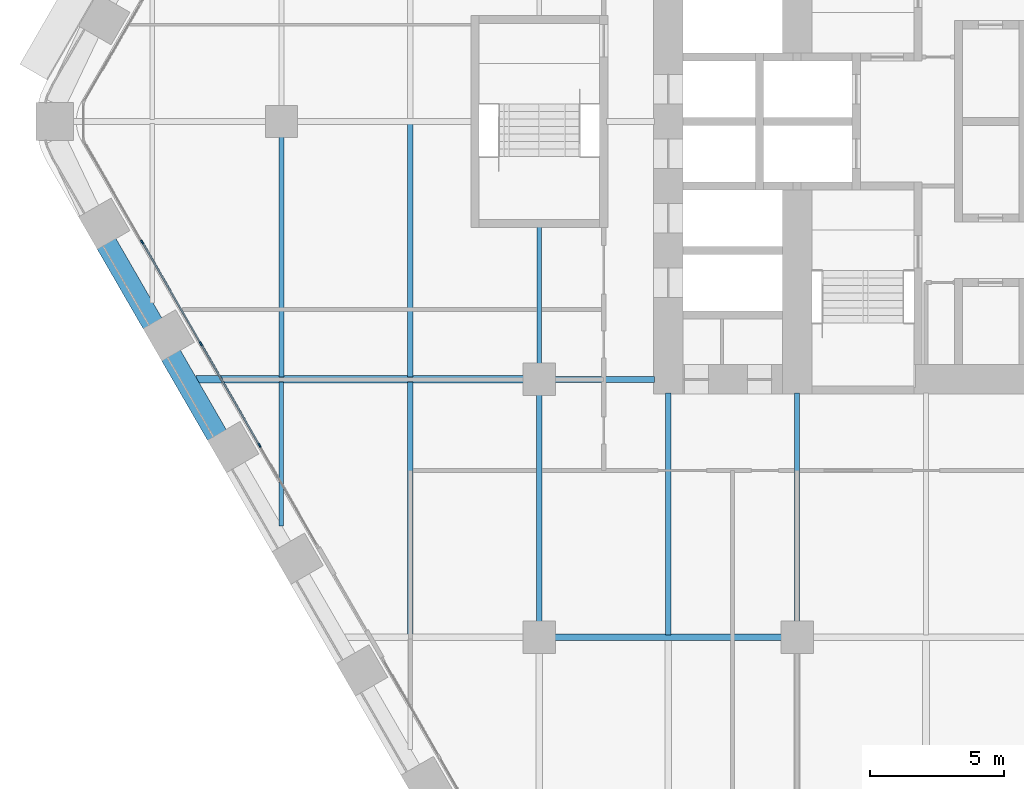
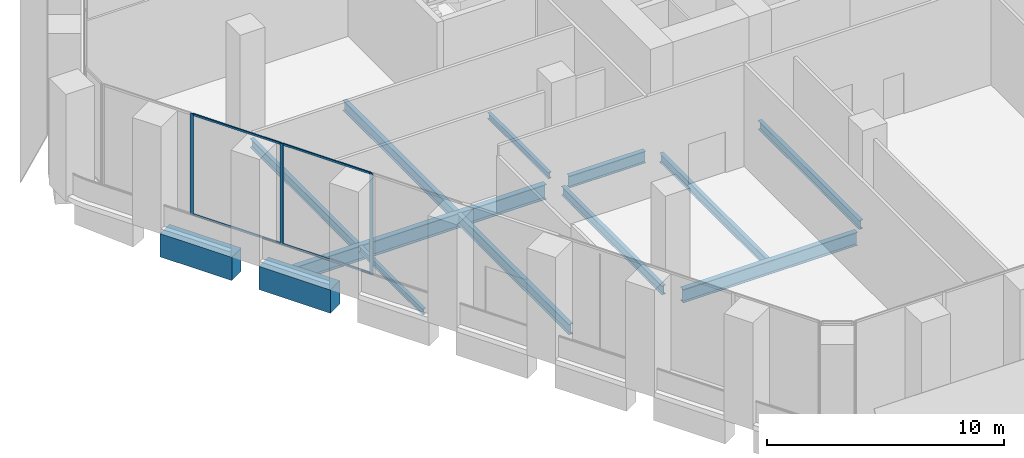
# One storey, part 3 of 29: 13 beams, 7 members, 1 element without a shape of its own.
"""IFC4 building model written with IfcOpenShell, lengths in metres."""

from ifc_helpers import new_model, si_unit, direction, frame, origin, origin_2d, place, context, subcontext, project, spatial, rectangle, i_section, extrude, material, material_profile, profile_set, type_object, element, aggregate, save


model = new_model("IFC4")

# Units and contexts
model_context = context("Model", 3, precision=1e-05, world=origin(), true_north=direction((0.0, 1.0)))
body_context = subcontext(model_context, "Body", "Model", "MODEL_VIEW")
ifc_project = project(units=[si_unit("LENGTHUNIT", "METRE"), si_unit("AREAUNIT", "SQUARE_METRE"), si_unit("VOLUMEUNIT", "CUBIC_METRE"), si_unit("PLANEANGLEUNIT", "RADIAN"), si_unit("MASSUNIT", "GRAM", prefix="KILO")], contexts=[model_context])

# Site, building, storey
site_placement = place(None, origin())
site = spatial("IfcSite", under=ifc_project, at=site_placement, CompositionType="ELEMENT")
building_placement = place(site_placement, origin())
building = spatial("IfcBuilding", under=site, at=building_placement, Name="Kolab Exchange Tower", CompositionType="ELEMENT")
storey_placement = place(building_placement, frame((0.0, 0.0, 55.39990234375)))
storey = spatial("IfcBuildingStorey", under=building, at=storey_placement, Name="L10", CompositionType="ELEMENT", Elevation=55.39990234375)

# Beams
ifc_material_1 = material(Name="Steel S355", Category="steel")
ifc_material_profile_1 = material_profile(ifc_material_1, i_section(OverallWidth=0.1650390625, OverallDepth=0.31005859375, WebThickness=0.005859375, FlangeThickness=0.009765625, at=origin_2d()), Name="W310X39")
ifc_profile_set_1 = profile_set([ifc_material_profile_1], Name="Steel S355")
beam_type_1 = type_object("IfcBeamType", Name="FLOOR BEAM W310X39", PredefinedType="BEAM", material=ifc_profile_set_1)
beam_1_placement = place(storey_placement, frame((-28.800048828125, -15.067626953125, -0.40478515625), z_axis=(0.0, 1.0, 0.0), x_axis=(-1.0, 0.0, 0.0)))
element("IfcBeam", 1, at=beam_1_placement, inside=storey, type_object=beam_type_1, Name="beam/L10/fr/002", PredefinedType="BEAM", context=body_context, shape_type="SweptSolid", body=[
    extrude(i_section(OverallWidth=0.1650390625, OverallDepth=0.31005859375, WebThickness=0.005859375, FlangeThickness=0.009765625, at=origin_2d()), origin(), (0.0, 0.0, 1.0), 5.3740234375),
])
beam_2_placement = place(storey_placement, frame((-19.199951171875, -9.0400390625, -0.40478515625), z_axis=(0.0, 1.0, 0.0), x_axis=(-1.0, 0.0, 0.0)))
element("IfcBeam", 2, at=beam_2_placement, inside=storey, type_object=beam_type_1, Name="beam/L10/fr/014", PredefinedType="BEAM", context=body_context, shape_type="SweptSolid", body=[
    extrude(i_section(OverallWidth=0.1650390625, OverallDepth=0.31005859375, WebThickness=0.005859375, FlangeThickness=0.009765625, at=origin_2d()), origin(), (0.0, 0.0, 1.0), 5.130126953125),
])
ifc_material_profile_2 = material_profile(ifc_material_1, i_section(OverallWidth=0.18994140625, OverallDepth=0.45703125, WebThickness=0.009033203125, FlangeThickness=0.014404296875, at=origin_2d()), Name="W460X74")
ifc_profile_set_2 = profile_set([ifc_material_profile_2], Name="Steel S355")
beam_type_2 = type_object("IfcBeamType", Name="FLOOR BEAM W460X74", PredefinedType="BEAM", material=ifc_profile_set_2)
beam_3_placement = place(storey_placement, frame((-28.800048828125, -9.506591796875, -0.478515625), z_axis=(0.0, 1.0, 0.0), x_axis=(-1.0, 0.0, 0.0)))
element("IfcBeam", 3, at=beam_3_placement, inside=storey, type_object=beam_type_2, Name="beam/L10/fr/003", PredefinedType="BEAM", context=body_context, shape_type="SweptSolid", body=[
    extrude(i_section(OverallWidth=0.18994140625, OverallDepth=0.45703125, WebThickness=0.009033203125, FlangeThickness=0.014404296875, at=origin_2d()), origin(), (0.0, 0.0, 1.0), 8.946533203125),
])
beam_4_placement = place(storey_placement, frame((-19.199951171875, -18.639892578125, -0.478515625), z_axis=(0.0, 1.0, 0.0), x_axis=(-1.0, 0.0, 0.0)))
element("IfcBeam", 4, at=beam_4_placement, inside=storey, type_object=beam_type_2, Name="beam/L10/fr/013", PredefinedType="BEAM", context=body_context, shape_type="SweptSolid", body=[
    extrude(i_section(OverallWidth=0.18994140625, OverallDepth=0.45703125, WebThickness=0.009033203125, FlangeThickness=0.014404296875, at=origin_2d()), origin(), (0.0, 0.0, 1.0), 8.47998046875),
])
beam_5_placement = place(storey_placement, frame((-14.39990234375, -19.113037109375, -0.478515625), z_axis=(0.0, 1.0, 0.0), x_axis=(-1.0, 0.0, 0.0)))
element("IfcBeam", 5, at=beam_5_placement, inside=storey, type_object=beam_type_2, Name="beam/L10/fr/019", PredefinedType="BEAM", context=body_context, shape_type="SweptSolid", body=[
    extrude(i_section(OverallWidth=0.18994140625, OverallDepth=0.45703125, WebThickness=0.009033203125, FlangeThickness=0.014404296875, at=origin_2d()), origin(), (0.0, 0.0, 1.0), 9.0029296875),
])
beam_6_placement = place(storey_placement, frame((-9.60009765625, -18.639892578125, -0.478515625), z_axis=(0.0, 1.0, 0.0), x_axis=(-1.0, 0.0, 0.0)))
element("IfcBeam", 6, at=beam_6_placement, inside=storey, type_object=beam_type_2, Name="beam/L10/fr/023", PredefinedType="BEAM", context=body_context, shape_type="SweptSolid", body=[
    extrude(i_section(OverallWidth=0.18994140625, OverallDepth=0.45703125, WebThickness=0.009033203125, FlangeThickness=0.014404296875, at=origin_2d()), origin(), (0.0, 0.0, 1.0), 8.52978515625),
])
ifc_material_profile_3 = material_profile(ifc_material_1, i_section(OverallWidth=0.208984375, OverallDepth=0.532958984375, WebThickness=0.01025390625, FlangeThickness=0.015625, at=origin_2d()), Name="W530X92")
ifc_profile_set_3 = profile_set([ifc_material_profile_3], Name="Steel S355")
beam_type_3 = type_object("IfcBeamType", Name="FLOOR BEAM W530X92", PredefinedType="BEAM", material=ifc_profile_set_3)
beam_7_placement = place(storey_placement, frame((-24.0, -19.1259765625, -0.516357421875), z_axis=(0.0, 1.0, 0.0), x_axis=(-1.0, 0.0, 0.0)))
element("IfcBeam", 7, at=beam_7_placement, inside=storey, type_object=beam_type_3, Name="beam/L10/fr/007", PredefinedType="BEAM", context=body_context, shape_type="SweptSolid", body=[
    extrude(i_section(OverallWidth=0.208984375, OverallDepth=0.532958984375, WebThickness=0.01025390625, FlangeThickness=0.015625, at=origin_2d()), origin(), (0.0, 0.0, 1.0), 9.432373046875),
])
beam_8_placement = place(storey_placement, frame((-24.0, -9.506591796875, -0.516357421875), z_axis=(0.0, 1.0, 0.0), x_axis=(-1.0, 0.0, 0.0)))
element("IfcBeam", 8, at=beam_8_placement, inside=storey, type_object=beam_type_3, Name="beam/L10/fr/008", PredefinedType="BEAM", context=body_context, shape_type="SweptSolid", body=[
    extrude(i_section(OverallWidth=0.208984375, OverallDepth=0.532958984375, WebThickness=0.01025390625, FlangeThickness=0.015625, at=origin_2d()), origin(), (0.0, 0.0, 1.0), 9.4326171875),
])
ifc_material_profile_4 = material_profile(ifc_material_1, i_section(OverallWidth=0.22802734375, OverallDepth=0.60791015625, WebThickness=0.01123046875, FlangeThickness=0.017333984375, at=origin_2d()), Name="W610X113")
ifc_profile_set_4 = profile_set([ifc_material_profile_4], Name="Steel S355")
beam_type_4 = type_object("IfcBeamType", Name="FLOOR GIRDER W610X113", PredefinedType="BEAM", material=ifc_profile_set_4)
beam_9_placement = place(storey_placement, frame((-18.639892578125, -9.60009765625, -0.553955078125), z_axis=(1.0, 0.0, 0.0), x_axis=(0.0, 1.0, 0.0)))
element("IfcBeam", 9, at=beam_9_placement, inside=storey, type_object=beam_type_4, Name="beam/L10/gd/007", PredefinedType="BEAM", context=body_context, shape_type="SweptSolid", body=[
    extrude(i_section(OverallWidth=0.22802734375, OverallDepth=0.60791015625, WebThickness=0.01123046875, FlangeThickness=0.017333984375, at=origin_2d()), origin(), (0.0, 0.0, 1.0), 3.72998046875),
])
ifc_material_profile_5 = material_profile(ifc_material_1, i_section(OverallWidth=0.25390625, OverallDepth=0.68408203125, WebThickness=0.012451171875, FlangeThickness=0.018798828125, at=origin_2d()), Name="W690X140")
ifc_profile_set_5 = profile_set([ifc_material_profile_5], Name="Steel S355")
beam_type_5 = type_object("IfcBeamType", Name="FLOOR GIRDER W690X140", PredefinedType="BEAM", material=ifc_profile_set_5)
beam_10_placement = place(storey_placement, frame((-18.639892578125, -19.199951171875, -0.591796875), z_axis=(1.0, 0.0, 0.0), x_axis=(0.0, 1.0, 0.0)))
element("IfcBeam", 10, at=beam_10_placement, inside=storey, type_object=beam_type_5, Name="beam/L10/gd/006", PredefinedType="BEAM", context=body_context, shape_type="SweptSolid", body=[
    extrude(i_section(OverallWidth=0.25390625, OverallDepth=0.68408203125, WebThickness=0.012451171875, FlangeThickness=0.018798828125, at=origin_2d()), origin(), (0.0, 0.0, 1.0), 8.47998046875),
])
ifc_material_profile_6 = material_profile(ifc_material_1, i_section(OverallWidth=0.26708984375, OverallDepth=0.761962890625, WebThickness=0.014404296875, FlangeThickness=0.021484375, at=origin_2d()), Name="W760X173")
ifc_profile_set_6 = profile_set([ifc_material_profile_6], Name="Steel S355")
beam_type_6 = type_object("IfcBeamType", Name="FLOOR GIRDER W760X173", PredefinedType="BEAM", material=ifc_profile_set_6)
beam_11_placement = place(storey_placement, frame((-31.9736328125, -9.60009765625, -0.630859375), z_axis=(1.0, 0.0, 0.0), x_axis=(0.0, 1.0, 0.0)))
element("IfcBeam", 11, at=beam_11_placement, inside=storey, type_object=beam_type_6, Name="beam/L10/gd/001", PredefinedType="BEAM", context=body_context, shape_type="SweptSolid", body=[
    extrude(i_section(OverallWidth=0.26708984375, OverallDepth=0.761962890625, WebThickness=0.014404296875, FlangeThickness=0.021484375, at=origin_2d()), origin(), (0.0, 0.0, 1.0), 12.213623046875),
])
ifc_material_2 = material(Name="Concrete C80/95", Category="concrete")
ifc_material_profile_7 = material_profile(ifc_material_2, rectangle(XDim=0.800048828125, YDim=1.199951171875, at=origin_2d()), Name="RC800X1200")
ifc_profile_set_7 = profile_set([ifc_material_profile_7], Name="Concrete C80/95")
beam_type_7 = type_object("IfcBeamType", Name="SPANDREL BEAM 800X1200 C80/95", PredefinedType="BEAM", material=ifc_profile_set_7)
beam_12_placement = place(storey_placement, frame((-31.18359375, -11.69921875, -0.849853515625), z_axis=(-0.499979528911, 0.866037222451, 0.0), x_axis=(-0.866037222451, -0.499979528911, 0.0)))
element("IfcBeam", 12, at=beam_12_placement, inside=storey, type_object=beam_type_7, Name="beam/L10/sp/F5-06", PredefinedType="BEAM", context=body_context, shape_type="SweptSolid", body=[
    extrude(rectangle(XDim=0.800048828125, YDim=1.199951171875, at=origin_2d()), origin(), (0.0, 0.0, 1.0), 3.480224609375),
])
beam_13_placement = place(storey_placement, frame((-33.58349609375, -7.542236328125, -0.849853515625), z_axis=(-0.500009906705, 0.86601968407, 0.0), x_axis=(-0.86601968407, -0.500009906705, 0.0)))
element("IfcBeam", 13, at=beam_13_placement, inside=storey, type_object=beam_type_7, Name="beam/L10/sp/F5-07", PredefinedType="BEAM", context=body_context, shape_type="SweptSolid", body=[
    extrude(rectangle(XDim=0.800048828125, YDim=1.199951171875, at=origin_2d()), origin(), (0.0, 0.0, 1.0), 3.47998046875),
])

# Curtain wall, members
ifc_material_3 = material(Name="Aluminium EN AW-6063 T6", Category="aluminium")
curtain_wall_type = type_object("IfcCurtainWallType", Name="UNITISED LOW ZONE CURTAIN WALL", PredefinedType="NOTDEFINED", material=ifc_material_3)
curtain_wall_placement = place(storey_placement, origin())
curtain_wall = element("IfcCurtainWall", 14, at=curtain_wall_placement, inside=storey, type_object=curtain_wall_type, Name="cw/L10/F5-2", PredefinedType="NOTDEFINED")
ifc_material_profile_8 = material_profile(ifc_material_3, rectangle(XDim=0.06005859375, YDim=0.159912109375, at=origin_2d()), Name="RECT 60X160")
ifc_profile_set_8 = profile_set([ifc_material_profile_8], Name="Aluminium EN AW-6063 T6")
member_type_1 = type_object("IfcMemberType", Name="UNITISED LOW ZONE MULLION 60 X 160", PredefinedType="MULLION", material=ifc_profile_set_8)
member_1_placement = place(storey_placement, frame((-29.615234375, -12.0556640625, 0.0), z_axis=(0.0, 0.0, 1.0), x_axis=(-0.866025422102, -0.499999968274, 0.0)))
member_1 = element("IfcMember", 15, at=member_1_placement, type_object=member_type_1, Name="CW1 mullion 2", PredefinedType="MULLION", context=body_context, shape_type="SweptSolid", body=[
    extrude(rectangle(XDim=0.06005859375, YDim=0.159912109375, at=origin_2d()), origin(), (0.0, 0.0, 1.0), 5.2001953125),
])
member_2_placement = place(storey_placement, frame((-31.798583984375, -8.27392578125, 0.0), z_axis=(0.0, 0.0, 1.0), x_axis=(-0.866025422102, -0.499999968274, 0.0)))
member_2 = element("IfcMember", 16, at=member_2_placement, type_object=member_type_1, Name="CW1 mullion 3", PredefinedType="MULLION", context=body_context, shape_type="SweptSolid", body=[
    extrude(rectangle(XDim=0.06005859375, YDim=0.159912109375, at=origin_2d()), origin(), (0.0, 0.0, 1.0), 5.2001953125),
])
member_3_placement = place(storey_placement, frame((-33.982177734375, -4.491943359375, 0.0), z_axis=(0.0, 0.0, 1.0), x_axis=(-0.866025422102, -0.499999968274, 0.0)))
member_3 = element("IfcMember", 17, at=member_3_placement, type_object=member_type_1, Name="CW1 mullion 4", PredefinedType="MULLION", context=body_context, shape_type="SweptSolid", body=[
    extrude(rectangle(XDim=0.06005859375, YDim=0.159912109375, at=origin_2d()), origin(), (0.0, 0.0, 1.0), 5.2001953125),
])
ifc_material_profile_9 = material_profile(ifc_material_3, rectangle(XDim=0.06005859375, YDim=0.10009765625, at=origin_2d()), Name="RECT 60X100")
ifc_profile_set_9 = profile_set([ifc_material_profile_9], Name="Aluminium EN AW-6063 T6")
member_type_2 = type_object("IfcMemberType", Name="UNITISED LOW ZONE TRANSOM 60 X 100", PredefinedType="USERDEFINED", material=ifc_profile_set_9)
member_4_placement = place(storey_placement, frame((-29.630126953125, -12.02978515625, 0.030029296875), z_axis=(-0.500010313095, 0.866019449435, 0.0), x_axis=(-0.866019449435, -0.500010313095, 0.0)))
member_4 = element("IfcMember", 18, at=member_4_placement, type_object=member_type_2, Name="CW1 transom 2.1", ObjectType="TRANSOM", PredefinedType="USERDEFINED", context=body_context, shape_type="SweptSolid", body=[
    extrude(rectangle(XDim=0.06005859375, YDim=0.10009765625, at=origin_2d()), origin(), (0.0, 0.0, 1.0), 4.30712890625),
])
member_5_placement = place(storey_placement, frame((-29.630126953125, -12.02978515625, 5.170166015625), z_axis=(-0.500010313095, 0.866019449435, 0.0), x_axis=(-0.866019449435, -0.500010313095, 0.0)))
member_5 = element("IfcMember", 19, at=member_5_placement, type_object=member_type_2, Name="CW1 transom 2.2", ObjectType="TRANSOM", PredefinedType="USERDEFINED", context=body_context, shape_type="SweptSolid", body=[
    extrude(rectangle(XDim=0.06005859375, YDim=0.10009765625, at=origin_2d()), origin(), (0.0, 0.0, 1.0), 4.30712890625),
])
member_6_placement = place(storey_placement, frame((-31.813720703125, -8.247802734375, 0.030029296875), z_axis=(-0.499967798808, 0.866043994353, 0.0), x_axis=(-0.866043994353, -0.499967798808, 0.0)))
member_6 = element("IfcMember", 20, at=member_6_placement, type_object=member_type_2, Name="CW1 transom 3.1", ObjectType="TRANSOM", PredefinedType="USERDEFINED", context=body_context, shape_type="SweptSolid", body=[
    extrude(rectangle(XDim=0.06005859375, YDim=0.10009765625, at=origin_2d()), origin(), (0.0, 0.0, 1.0), 4.306884765625),
])
member_7_placement = place(storey_placement, frame((-31.813720703125, -8.247802734375, 5.170166015625), z_axis=(-0.499967798808, 0.866043994353, 0.0), x_axis=(-0.866043994353, -0.499967798808, 0.0)))
member_7 = element("IfcMember", 21, at=member_7_placement, type_object=member_type_2, Name="CW1 transom 3.2", ObjectType="TRANSOM", PredefinedType="USERDEFINED", context=body_context, shape_type="SweptSolid", body=[
    extrude(rectangle(XDim=0.06005859375, YDim=0.10009765625, at=origin_2d()), origin(), (0.0, 0.0, 1.0), 4.306884765625),
])
aggregate(curtain_wall, [member_1, member_2, member_3, member_4, member_5, member_6, member_7])

save(model, "model.ifc")
